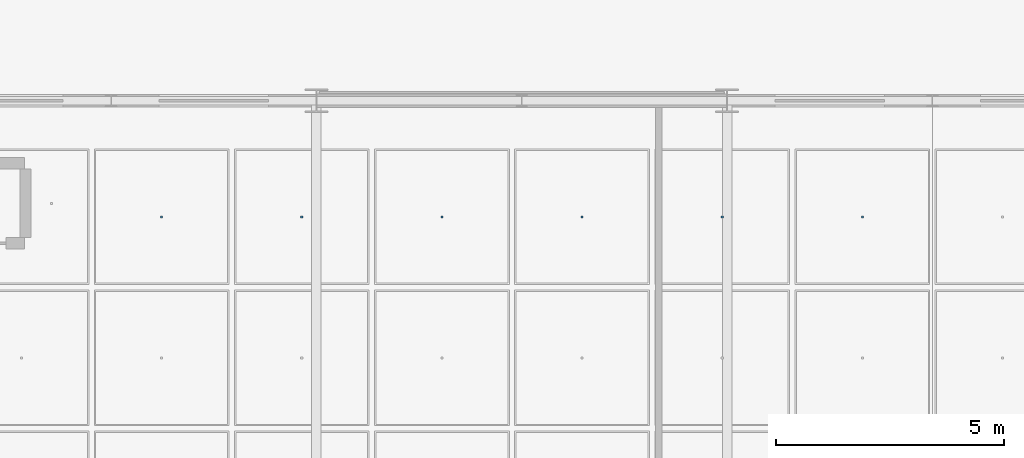
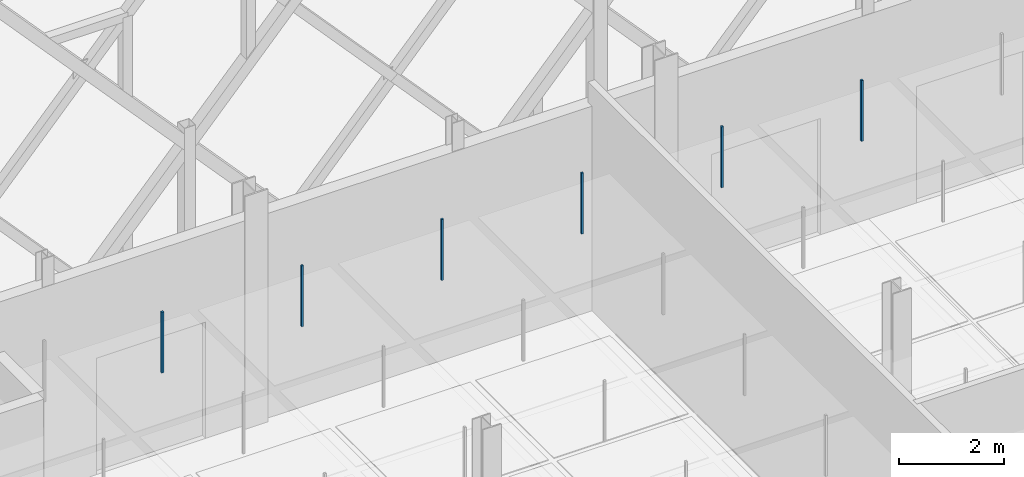
# One storey, part 119 of 180: 6 discrete accessories.
"""IFC4 building model written with IfcOpenShell, lengths in metres."""

from ifc_helpers import new_model, si_unit, direction, frame, origin, origin_2d, place, context, subcontext, project, spatial, rectangle, extrude, material, type_object, element, save


model = new_model("IFC4")

# Units and contexts
model_context = context("Model", 3, precision=1e-05, world=origin(), true_north=direction((0.0, 1.0)))
body_context = subcontext(model_context, "Body", "Model", "MODEL_VIEW")
ifc_project = project(units=[si_unit("LENGTHUNIT", "METRE"), si_unit("AREAUNIT", "SQUARE_METRE"), si_unit("VOLUMEUNIT", "CUBIC_METRE"), si_unit("PLANEANGLEUNIT", "RADIAN"), si_unit("MASSUNIT", "GRAM", prefix="KILO"), si_unit("THERMODYNAMICTEMPERATUREUNIT", "KELVIN"), si_unit("POWERUNIT", "WATT")], contexts=[model_context])

# Site, building, storey
site_placement = place(None, origin())
site = spatial("IfcSite", under=ifc_project, at=site_placement, CompositionType="ELEMENT")
building_placement = place(site_placement, origin())
building = spatial("IfcBuilding", under=site, at=building_placement, Name="Tallowbark Science Centre", CompositionType="ELEMENT")
storey_placement = place(building_placement, origin())
storey = spatial("IfcBuildingStorey", under=building, at=storey_placement, Name="L00", CompositionType="ELEMENT", Elevation=0.0)

# Discrete accessories
ifc_material = material(Name="Galvanised Steel Grade C350L0 (350 MPa)", Category="steel")
discrete_accessory_type = type_object("IfcDiscreteAccessoryType", Name="ACC-CLG-HNG", PredefinedType="BRACKET", material=ifc_material)
for number, where, z_axis, x_axis, name in (
    (1, (64.107177734375, 37.95458984375, 3.8095703125), (0.0, 0.0, 1.0), (1.0, 0.0, 0.0), "Ceiling Hanger Bracket L00-90"),
    (2, (67.1787109375, 37.95458984375, 3.8095703125), (0.0, 0.0, 1.0), (1.0, 0.0, 0.0), "Ceiling Hanger Bracket L00-98"),
    (3, (70.25, 37.95458984375, 3.8095703125), (0.0, 0.0, 1.0), (1.0, 0.0, 0.0), "Ceiling Hanger Bracket L00-106"),
    (4, (73.3212890625, 37.95458984375, 3.8095703125), (0.0, 0.0, 1.0), (1.0, 0.0, 0.0), "Ceiling Hanger Bracket L00-117"),
    (5, (76.392822265625, 37.95458984375, 3.8095703125), (0.0, 0.0, 1.0), (1.0, 0.0, 0.0), "Ceiling Hanger Bracket L00-128"),
    (6, (79.46435546875, 37.95458984375, 3.8095703125), (0.0, 0.0, 1.0), (1.0, 0.0, 0.0), "Ceiling Hanger Bracket L00-139"),
):
    element("IfcDiscreteAccessory", number, at=place(storey_placement, frame(where, z_axis=z_axis, x_axis=x_axis)), inside=storey, type_object=discrete_accessory_type, Name=name, PredefinedType="BRACKET", context=body_context, shape_type="SweptSolid", body=[
        extrude(rectangle(XDim=0.044921875, YDim=0.044921875, at=origin_2d()), origin(), (0.0, 0.0, 1.0), 1.41357421875),
    ])

save(model, "model.ifc")
